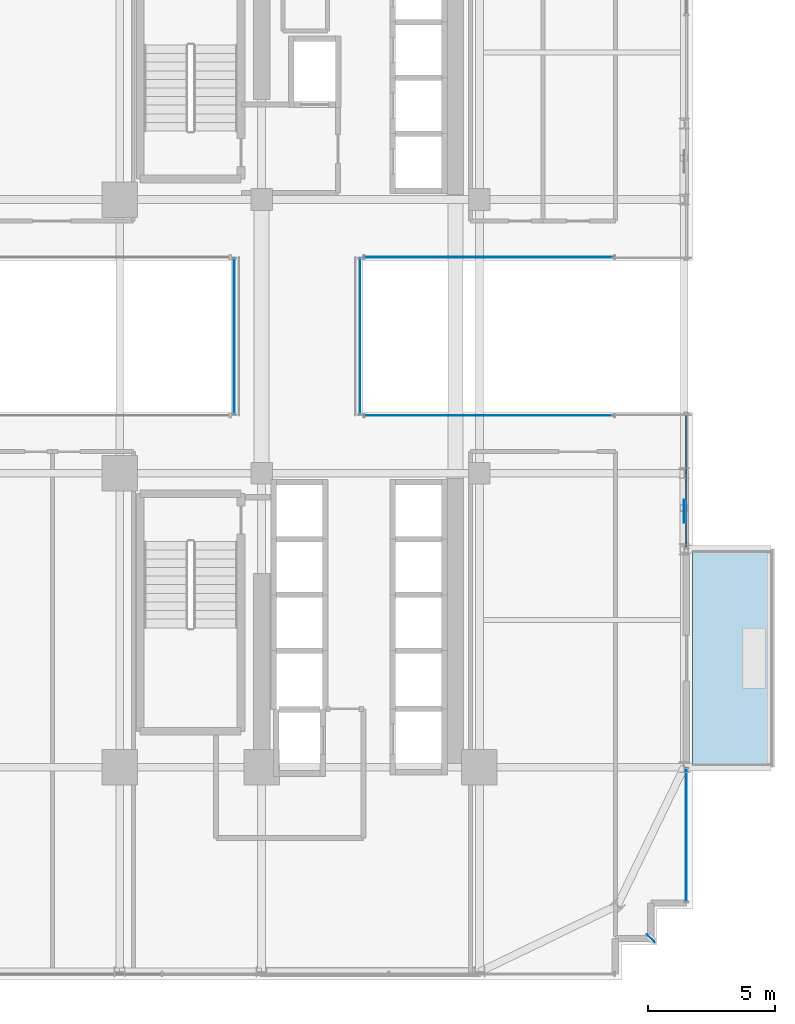
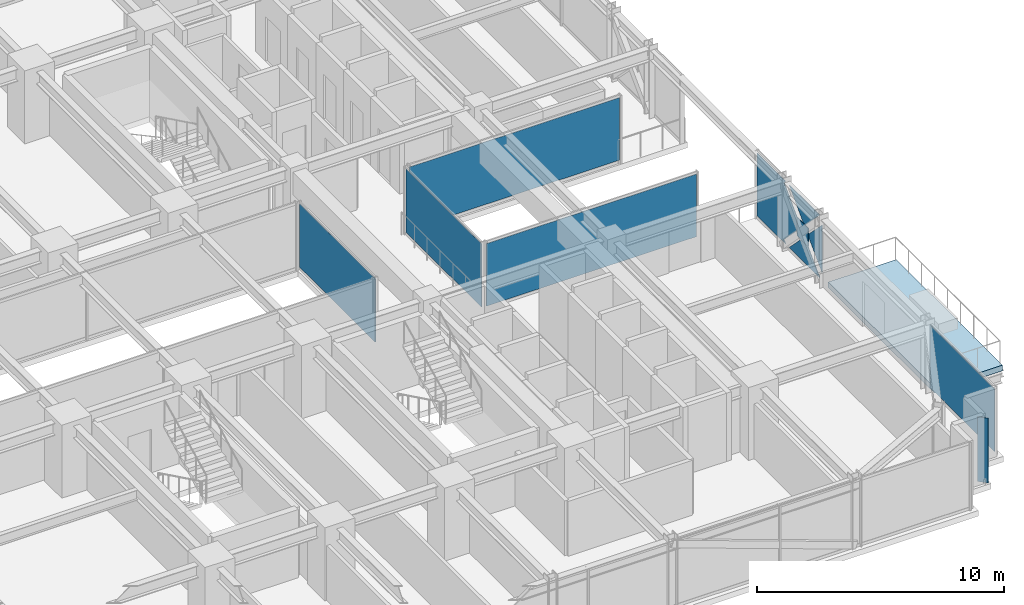
# One storey, part 36 of 47: 8 plates, 1 slab, 6 elements without a shape of their own.
"""IFC4 building model written with IfcOpenShell, lengths in metres."""

from ifc_helpers import new_model, si_unit, direction, frame, origin, origin_2d, place, context, subcontext, project, spatial, polyline, rectangle, outline, extrude, source, transform, mapped, material, layer, layer_set, type_object, element, aggregate, save


model = new_model("IFC4")

# Units and contexts
model_context = context("Model", 3, precision=1e-05, world=origin(), true_north=direction((0.0, 1.0)))
body_context = subcontext(model_context, "Body", "Model", "MODEL_VIEW")
ifc_project = project(units=[si_unit("LENGTHUNIT", "METRE"), si_unit("AREAUNIT", "SQUARE_METRE"), si_unit("VOLUMEUNIT", "CUBIC_METRE"), si_unit("PLANEANGLEUNIT", "RADIAN"), si_unit("MASSUNIT", "GRAM", prefix="KILO")], contexts=[model_context])

# Site, building, storey
site_placement = place(None, origin())
site = spatial("IfcSite", under=ifc_project, at=site_placement, CompositionType="ELEMENT")
building_placement = place(site_placement, origin())
building = spatial("IfcBuilding", under=site, at=building_placement, Name="Nahalor Promenade Grand Hotel", CompositionType="ELEMENT")
storey_placement = place(building_placement, frame((0.0, 0.0, 68.89990234375)))
storey = spatial("IfcBuildingStorey", under=building, at=storey_placement, Name="L16", CompositionType="ELEMENT", Elevation=68.89990234375)

# Curtain wall, plate
ifc_material_1 = material(Name="Anodised Bronze Aluminium EN AW-6063 T6", Category="aluminium")
curtain_wall_type_1 = type_object("IfcCurtainWallType", Name="CW3 Elliptical-Void Collar Unitised Curtain Wall", PredefinedType="USERDEFINED", material=ifc_material_1)
curtain_wall_1_placement = place(storey_placement, origin())
curtain_wall_1 = element("IfcCurtainWall", 1, at=curtain_wall_1_placement, inside=storey, type_object=curtain_wall_type_1, Name="L16 Curtain Wall CW-L16-E-3", ObjectType="UNITISED_CURTAIN_WALL", PredefinedType="USERDEFINED")
ifc_material_2 = material(Name="Low-E Laminated Solar Glass", Category="glass")
ifc_layer_1 = layer(ifc_material_2, 0.030029296875)
ifc_layer_set_1 = layer_set([ifc_layer_1], Name="Low-E Laminated Solar Glass")
plate_type_1 = type_object("IfcPlateType", Name="CWP3 High-Wind Laminated Bronze IGU 30mm", PredefinedType="CURTAIN_PANEL", material=ifc_layer_set_1)
plate_1_placement = place(storey_placement, frame((25.159912109375, -5.699462890625, 0.14013671875), z_axis=(0.0, 0.0, 1.0), x_axis=(0.0, 1.0, 0.0)))
plate_1 = element("IfcPlate", 2, at=plate_1_placement, type_object=plate_type_1, Name="CW-L16-E-3 Glazing Panel 0-0", PredefinedType="CURTAIN_PANEL", context=body_context, shape_type="SweptSolid", body=[
    extrude(outline(polyline([(-1.480224609375, 1.544921875), (-2.630615234375, 2.72216796875), (-2.630615234375, 0.36767578125), (-1.480224609375, 1.544921875)])), frame((0.0, 0.01513671875, 0.0), z_axis=(0.0, -1.0, 0.0), x_axis=(1.0, 0.0, 0.0)), (0.0, 0.0, 1.0), 0.030029296875),
    extrude(outline(polyline([(-1.200439453125, 1.2587890625), (-2.4306640625, 0.0), (0.029541015625, 0.0), (-1.200439453125, 1.2587890625)])), frame((0.0, 0.01513671875, 0.0), z_axis=(0.0, -1.0, 0.0), x_axis=(1.0, 0.0, 0.0)), (0.0, 0.0, 1.0), 0.030029296875),
    extrude(outline(polyline([(-1.200439453125, 1.831298828125), (0.029541015625, 3.090087890625), (-2.4306640625, 3.090087890625), (-1.200439453125, 1.831298828125)])), frame((0.0, 0.01513671875, 0.0), z_axis=(0.0, -1.0, 0.0), x_axis=(1.0, 0.0, 0.0)), (0.0, 0.0, 1.0), 0.030029296875),
    extrude(outline(polyline([(2.630615234375, 0.0), (2.630615234375, 3.090087890625), (0.324951171875, 3.090087890625), (0.4599609375, 2.9580078125), (-0.9208984375, 1.544921875), (0.4599609375, 0.1318359375), (0.324951171875, 0.0), (2.630615234375, 0.0)])), frame((0.0, 0.01513671875, 0.0), z_axis=(0.0, -1.0, 0.0), x_axis=(1.0, 0.0, 0.0)), (0.0, 0.0, 1.0), 0.030029296875),
])
aggregate(curtain_wall_1, [plate_1])

# Slab
ifc_material_3 = material(Name="Concrete B-50 (C40/50)", Category="concrete")
ifc_layer_2 = layer(ifc_material_3, 0.280029296875)
ifc_layer_set_2 = layer_set([ifc_layer_2], Name="Concrete B-50 (C40/50)")
slab_type = type_object("IfcSlabType", Name="Slab-Balcony-280", PredefinedType="FLOOR", material=ifc_layer_set_2)
slab_placement = place(storey_placement, frame((0.0, 0.0, -0.27978515625)))
element("IfcSlab", 3, at=slab_placement, inside=storey, type_object=slab_type, Name="L16 Cantilevered Planted Balcony 2", PredefinedType="FLOOR", context=body_context, shape_type="SweptSolid", body=[
    extrude(outline(polyline([(25.39990234375, -17.0), (28.580078125, -17.0), (28.580078125, -8.39990234375), (25.39990234375, -8.39990234375), (25.39990234375, -17.0)])), origin(), (0.0, 0.0, 1.0), 0.27978515625),
])

# Plate
ifc_material_4 = material(Name="Steel S355J2", Category="steel")
ifc_layer_3 = layer(ifc_material_4, 0.035888671875)
ifc_layer_set_3 = layer_set([ifc_layer_3], Name="Steel S355J2")
plate_type_2 = type_object("IfcPlateType", Name="Plate-CrossGusset-36", PredefinedType="USERDEFINED", material=ifc_layer_set_3)
shared_shape_1 = source(origin(), body_context, "Body", "SweptSolid", [
    extrude(rectangle(XDim=0.89990234375, YDim=0.035888671875, at=origin_2d()), origin(), (0.0, 0.0, 1.0), 0.89990234375),
])
plate_2_placement = place(storey_placement, frame((25.080078125, -6.89990234375, 1.235107421875), z_axis=(0.0, 0.0, 1.0), x_axis=(0.0, 1.0, 0.0)))
element("IfcPlate", 4, at=plate_2_placement, inside=storey, type_object=plate_type_2, Name="PL-L16-VXX-E0", ObjectType="GUSSET_PLATE", PredefinedType="USERDEFINED", context=body_context, shape_type="MappedRepresentation", body=[
    mapped(shared_shape_1, transform((0.0, 0.0, 0.0), scale=1.0)),
])

# Curtain wall, plate
curtain_wall_2_placement = place(storey_placement, origin())
curtain_wall_2 = element("IfcCurtainWall", 5, at=curtain_wall_2_placement, inside=storey, type_object=curtain_wall_type_1, Name="L16 Curtain Wall CW-L16-E-1", ObjectType="UNITISED_CURTAIN_WALL", PredefinedType="USERDEFINED")
shared_shape_2 = source(origin(), body_context, "Body", "SweptSolid", [
    extrude(rectangle(XDim=5.219970703125, YDim=0.030029296875, at=origin_2d()), origin(), (0.0, 0.0, 1.0), 3.090087890625),
])
plate_3_placement = place(storey_placement, frame((25.159912109375, -19.679931640625, 0.14013671875), z_axis=(0.0, 0.0, 1.0), x_axis=(0.0, 1.0, 0.0)))
plate_3 = element("IfcPlate", 6, at=plate_3_placement, type_object=plate_type_1, Name="CW-L16-E-1 Glazing Panel 0-0", PredefinedType="CURTAIN_PANEL", context=body_context, shape_type="MappedRepresentation", body=[
    mapped(shared_shape_2, transform((0.0, 0.0, 0.0), scale=1.0)),
])
aggregate(curtain_wall_2, [plate_3])

curtain_wall_3_placement = place(storey_placement, origin())
curtain_wall_3 = element("IfcCurtainWall", 7, at=curtain_wall_3_placement, inside=storey, type_object=curtain_wall_type_1, Name="L16 Curtain Wall CW-L16-VOID-ES1", ObjectType="UNITISED_CURTAIN_WALL", PredefinedType="USERDEFINED")
shared_shape_3 = source(origin(), body_context, "Body", "SweptSolid", [
    extrude(rectangle(XDim=9.820068359375, YDim=0.030029296875, at=origin_2d()), origin(), (0.0, 0.0, 1.0), 3.090087890625),
])
plate_4_placement = place(storey_placement, frame((17.3798828125, -3.118896484375, 0.14013671875), z_axis=(0.0, 0.0, 1.0), x_axis=(1.0, 0.0, 0.0)))
plate_4 = element("IfcPlate", 8, at=plate_4_placement, type_object=plate_type_1, Name="CW-L16-VOID-ES1 Glazing Panel 0-0", PredefinedType="CURTAIN_PANEL", context=body_context, shape_type="MappedRepresentation", body=[
    mapped(shared_shape_3, transform((0.0, 0.0, 0.0), scale=1.0)),
])
aggregate(curtain_wall_3, [plate_4])

curtain_wall_4_placement = place(storey_placement, origin())
curtain_wall_4 = element("IfcCurtainWall", 9, at=curtain_wall_4_placement, inside=storey, type_object=curtain_wall_type_1, Name="L16 Curtain Wall CW-L16-VOID-EN1", ObjectType="UNITISED_CURTAIN_WALL", PredefinedType="USERDEFINED")
plate_5_placement = place(storey_placement, frame((17.3798828125, 3.118896484375, 0.14013671875), z_axis=(0.0, 0.0, 1.0), x_axis=(1.0, 0.0, 0.0)))
plate_5 = element("IfcPlate", 10, at=plate_5_placement, type_object=plate_type_1, Name="CW-L16-VOID-EN1 Glazing Panel 0-0", PredefinedType="CURTAIN_PANEL", context=body_context, shape_type="MappedRepresentation", body=[
    mapped(shared_shape_3, transform((0.0, 0.0, 0.0), scale=1.0)),
])
aggregate(curtain_wall_4, [plate_5])

curtain_wall_type_2 = type_object("IfcCurtainWallType", Name="CW4 Low-Iron Sky-Gallery Bridge Curtain Wall", PredefinedType="USERDEFINED", material=ifc_material_1)
curtain_wall_5_placement = place(storey_placement, origin())
curtain_wall_5 = element("IfcCurtainWall", 11, at=curtain_wall_5_placement, inside=storey, type_object=curtain_wall_type_2, Name="L16 Curtain Wall CW-L16-BRG-W", ObjectType="UNITISED_CURTAIN_WALL", PredefinedType="USERDEFINED")
ifc_layer_4 = layer(ifc_material_2, 0.02587890625)
ifc_layer_set_4 = layer_set([ifc_layer_4], Name="Low-E Laminated Solar Glass")
plate_type_3 = type_object("IfcPlateType", Name="CWP4 Ultra-Clear Low-Iron Bridge IGU 26mm", PredefinedType="CURTAIN_PANEL", material=ifc_layer_set_4)
shared_shape_4 = source(origin(), body_context, "Body", "SweptSolid", [
    extrude(rectangle(XDim=6.117919921875, YDim=0.02587890625, at=origin_2d()), origin(), (0.0, 0.0, 1.0), 3.1298828125),
])
plate_6_placement = place(storey_placement, frame((7.320068359375, 0.0, 0.1201171875), z_axis=(0.0, 0.0, 1.0), x_axis=(0.0, 1.0, 0.0)))
plate_6 = element("IfcPlate", 12, at=plate_6_placement, type_object=plate_type_3, Name="CW-L16-BRG-W Glazing Panel 0-0", PredefinedType="CURTAIN_PANEL", context=body_context, shape_type="MappedRepresentation", body=[
    mapped(shared_shape_4, transform((0.0, 0.0, 0.0), scale=1.0)),
])
aggregate(curtain_wall_5, [plate_6])

curtain_wall_6_placement = place(storey_placement, origin())
curtain_wall_6 = element("IfcCurtainWall", 13, at=curtain_wall_6_placement, inside=storey, type_object=curtain_wall_type_2, Name="L16 Curtain Wall CW-L16-BRG-E", ObjectType="UNITISED_CURTAIN_WALL", PredefinedType="USERDEFINED")
plate_7_placement = place(storey_placement, frame((12.280029296875, 0.0, 0.1201171875), z_axis=(0.0, 0.0, 1.0), x_axis=(0.0, 1.0, 0.0)))
plate_7 = element("IfcPlate", 14, at=plate_7_placement, type_object=plate_type_3, Name="CW-L16-BRG-E Glazing Panel 0-0", PredefinedType="CURTAIN_PANEL", context=body_context, shape_type="MappedRepresentation", body=[
    mapped(shared_shape_4, transform((0.0, 0.0, 0.0), scale=1.0)),
])
aggregate(curtain_wall_6, [plate_7])

# Plate
ifc_layer_5 = layer(ifc_material_1, 0.02001953125)
ifc_layer_set_5 = layer_set([ifc_layer_5], Name="Anodised Bronze Aluminium EN AW-6063 T6")
plate_type_4 = type_object("IfcPlateType", Name="Plate-CornerFin-20", PredefinedType="SHEET", material=ifc_layer_set_5)
shared_shape_5 = source(origin(), body_context, "Body", "SweptSolid", [
    extrude(rectangle(XDim=0.449951171875, YDim=0.02001953125, at=origin_2d()), origin(), (0.0, 0.0, 1.0), 3.199951171875),
])
plate_8_placement = place(storey_placement, frame((23.760009765625, -23.760009765625, 0.0), z_axis=(0.0, 0.0, 1.0), x_axis=(-0.707106781187, 0.707106781187, 0.0)))
element("IfcPlate", 15, at=plate_8_placement, inside=storey, type_object=plate_type_4, Name="FIN-L16-SE", PredefinedType="SHEET", context=body_context, shape_type="MappedRepresentation", body=[
    mapped(shared_shape_5, transform((0.0, 0.0, 0.0), scale=1.0)),
])

save(model, "model.ifc")
